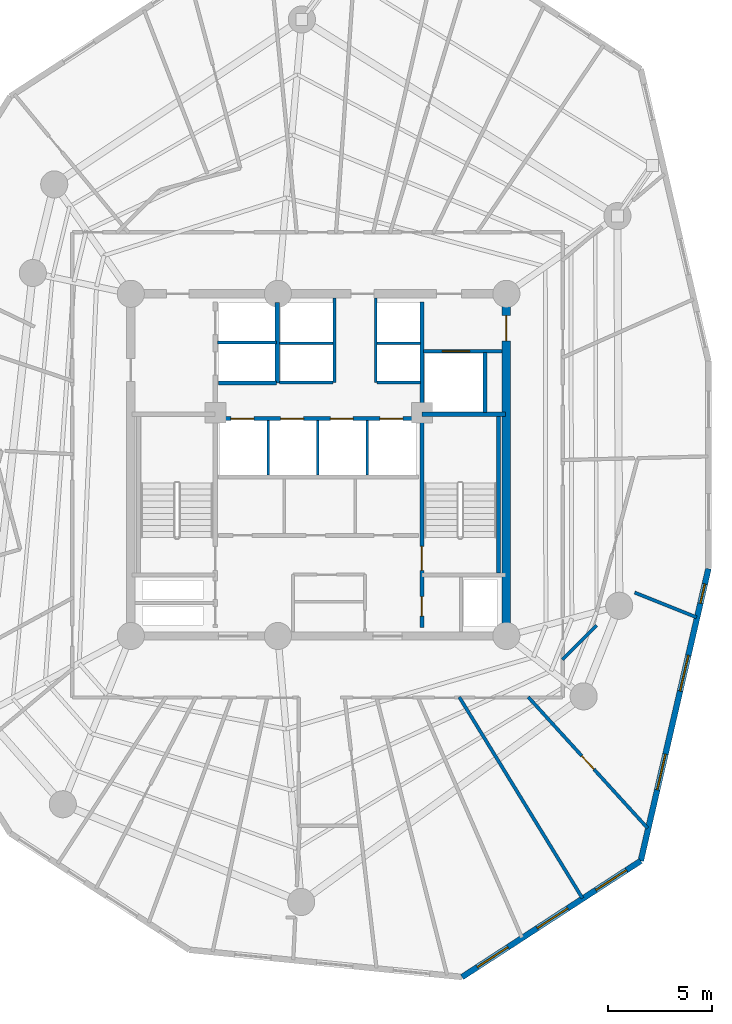
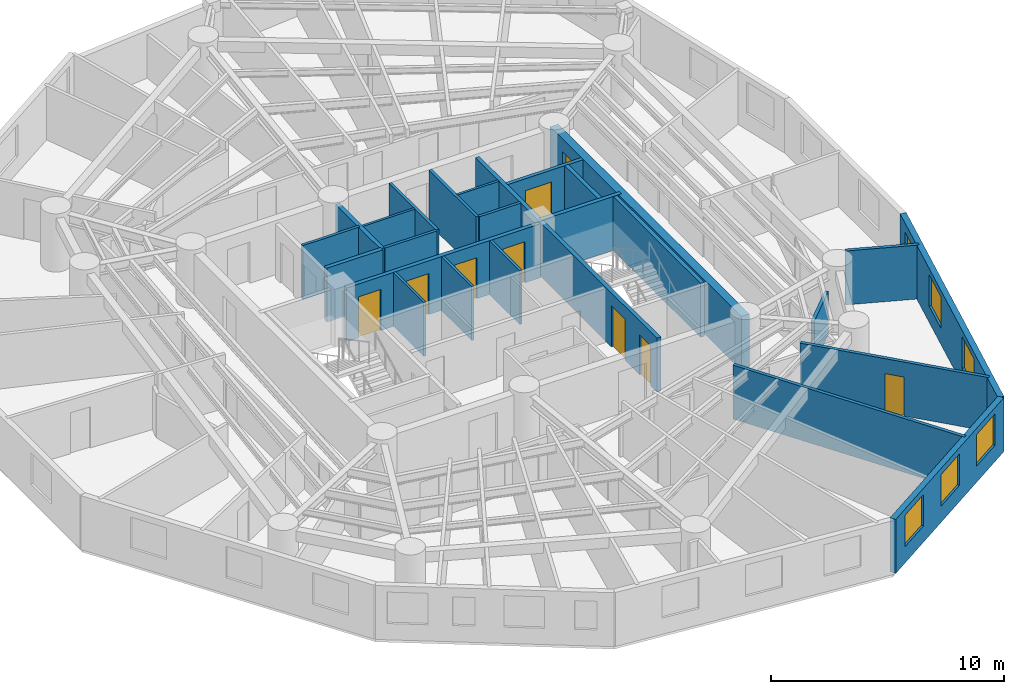
# One storey, part 5 of 8: 25 walls, 9 doors, 6 windows, 15 openings.
"""IFC4 building model written with IfcOpenShell, lengths in metres."""

from ifc_helpers import new_model, si_unit, direction, frame, frame_2d, origin, origin_with_axes, place, context, subcontext, project, spatial, rectangle, extrude, source, transform, mapped, material, layer, layer_set, type_object, element, fill, save


model = new_model("IFC4")

# Units and contexts
model_context = context("Model", 3, precision=1e-05, world=origin(), true_north=direction((0.0, 1.0)))
body_context = subcontext(model_context, "Body", "Model", "MODEL_VIEW")
ifc_project = project(units=[si_unit("LENGTHUNIT", "METRE"), si_unit("AREAUNIT", "SQUARE_METRE"), si_unit("VOLUMEUNIT", "CUBIC_METRE"), si_unit("PLANEANGLEUNIT", "RADIAN"), si_unit("MASSUNIT", "GRAM", prefix="KILO")], contexts=[model_context])

# Site, building, storey
site_placement = place(None, origin())
site = spatial("IfcSite", under=ifc_project, at=site_placement, CompositionType="ELEMENT")
building_placement = place(site_placement, origin())
building = spatial("IfcBuilding", under=site, at=building_placement, Name="Karkom Vertical University and Central Library", CompositionType="ELEMENT")
storey_placement = place(building_placement, frame((0.0, 0.0, 187.050048828125)))
storey = spatial("IfcBuildingStorey", under=building, at=storey_placement, Name="L54", CompositionType="ELEMENT", Elevation=187.050048828125)

# Wall, openings, windows
ifc_material_1 = material(Name="Brick-faced precast concrete C45/55", Category="masonry")
ifc_layer_1 = layer(ifc_material_1, 0.280029296875)
ifc_layer_set_1 = layer_set([ifc_layer_1], Name="Brick-faced precast concrete C45/55")
wall_type_1 = type_object("IfcWallType", Name="ENV-WL-BRK-280", PredefinedType="SOLIDWALL", material=ifc_layer_set_1)
wall_1_placement = place(storey_placement, frame((35.37353515625, 1.949951171875, 0.0), z_axis=(0.0, 0.0, 1.0), x_axis=(0.838363930123, 0.545110925105, 0.0)))
wall_1 = element("IfcWall", 1, at=wall_1_placement, inside=storey, type_object=wall_type_1, Name="Level 54 Brick-Faced Precast Facade Wall 05", PredefinedType="SOLIDWALL", context=body_context, shape_type="SweptSolid", body=[
    extrude(rectangle(XDim=10.220947265625, YDim=0.280029296875, at=frame_2d((5.1103515625, 0.0))), origin(), (0.0, 0.0, 1.0), 2.824951171875),
])
opening_1_placement = place(wall_1_placement, frame((0.87939453125, 0.0, 0.85009765625)))
opening_1 = element("IfcOpeningElement", 2, at=opening_1_placement, cuts=wall_1, Name="Opening WN-08", PredefinedType="OPENING", context=body_context, shape_type="SweptSolid", body=[
    extrude(rectangle(XDim=1.75, YDim=1.64990234375, at=frame_2d((0.875, 0.824951171875))), frame((0.0, 0.14990234375, 0.0), z_axis=(0.0, -1.0, 0.0), x_axis=(1.0, 0.0, 0.0)), (0.0, 0.0, 1.0), 0.300048828125),
])
opening_2_placement = place(wall_1_placement, frame((4.30029296875, 0.0, 0.85009765625)))
opening_2 = element("IfcOpeningElement", 3, at=opening_2_placement, cuts=wall_1, Name="Opening WN-08", PredefinedType="OPENING", context=body_context, shape_type="SweptSolid", body=[
    extrude(rectangle(XDim=1.75, YDim=1.64990234375, at=frame_2d((0.875, 0.824951171875))), frame((0.0, 0.14990234375, 0.0), z_axis=(0.0, -1.0, 0.0), x_axis=(1.0, 0.0, 0.0)), (0.0, 0.0, 1.0), 0.300048828125),
])
opening_3_placement = place(wall_1_placement, frame((7.65625, 0.0, 0.85009765625)))
opening_3 = element("IfcOpeningElement", 4, at=opening_3_placement, cuts=wall_1, Name="Opening WN-08", PredefinedType="OPENING", context=body_context, shape_type="SweptSolid", body=[
    extrude(rectangle(XDim=1.75, YDim=1.64990234375, at=frame_2d((0.875, 0.824951171875))), frame((0.0, 0.14990234375, 0.0), z_axis=(0.0, -1.0, 0.0), x_axis=(1.0, 0.0, 0.0)), (0.0, 0.0, 1.0), 0.300048828125),
])
ifc_material_2 = material(Name="Aluminium thermal-break frame with solar-control IGU", Category="aluminium")
window_type_1 = type_object("IfcWindowType", Name="ENV-WIN-WN-08", PartitioningType="SINGLE_PANEL", PredefinedType="WINDOW", material=ifc_material_2)
shared_shape_1 = source(origin_with_axes(), body_context, "Body", "SweptSolid", [
    extrude(rectangle(XDim=1.75, YDim=1.64990234375, at=frame_2d((0.875, 0.824951171875))), frame((0.0, 0.030029296875, 0.0), z_axis=(0.0, -1.0, 0.0), x_axis=(1.0, 0.0, 0.0)), (0.0, 0.0, 1.0), 0.06005859375),
])
window_1_placement = place(opening_1_placement, origin())
window_1 = element("IfcWindow", 5, at=window_1_placement, inside=storey, type_object=window_type_1, Name="Level 54 Punched Window 5.1", OverallHeight=1.64990234375, OverallWidth=1.75, PartitioningType="SINGLE_PANEL", PredefinedType="WINDOW", context=body_context, shape_type="MappedRepresentation", body=[
    mapped(shared_shape_1, transform((0.0, 0.0, 0.0), scale=1.0)),
])
fill(opening_1, window_1)
window_2_placement = place(opening_2_placement, origin())
window_2 = element("IfcWindow", 6, at=window_2_placement, inside=storey, type_object=window_type_1, Name="Level 54 Punched Window 5.2", OverallHeight=1.64990234375, OverallWidth=1.75, PartitioningType="SINGLE_PANEL", PredefinedType="WINDOW", context=body_context, shape_type="MappedRepresentation", body=[
    mapped(shared_shape_1, transform((0.0, 0.0, 0.0), scale=1.0)),
])
fill(opening_2, window_2)
window_3_placement = place(opening_3_placement, origin())
window_3 = element("IfcWindow", 7, at=window_3_placement, inside=storey, type_object=window_type_1, Name="Level 54 Punched Window 5.3", OverallHeight=1.64990234375, OverallWidth=1.75, PartitioningType="SINGLE_PANEL", PredefinedType="WINDOW", context=body_context, shape_type="MappedRepresentation", body=[
    mapped(shared_shape_1, transform((0.0, 0.0, 0.0), scale=1.0)),
])
fill(opening_3, window_3)

wall_2_placement = place(storey_placement, frame((43.9423828125, 7.521484375, 0.0), z_axis=(0.0, 0.0, 1.0), x_axis=(0.225598723883, 0.974220311727, 0.0)))
wall_2 = element("IfcWall", 8, at=wall_2_placement, inside=storey, type_object=wall_type_1, Name="Level 54 Brick-Faced Precast Facade Wall 06", PredefinedType="SOLIDWALL", context=body_context, shape_type="SweptSolid", body=[
    extrude(rectangle(XDim=14.374755859375, YDim=0.280029296875, at=frame_2d((7.1875, 0.0))), origin(), (0.0, 0.0, 1.0), 2.824951171875),
])
opening_4_placement = place(wall_2_placement, frame((3.49609375, 0.0, 0.85009765625)))
opening_4 = element("IfcOpeningElement", 9, at=opening_4_placement, cuts=wall_2, Name="Opening WN-08", PredefinedType="OPENING", context=body_context, shape_type="SweptSolid", body=[
    extrude(rectangle(XDim=1.75, YDim=1.64990234375, at=frame_2d((0.875, 0.824951171875))), frame((0.0, 0.14990234375, 0.0), z_axis=(0.0, -1.0, 0.0), x_axis=(1.0, 0.0, 0.0)), (0.0, 0.0, 1.0), 0.300048828125),
])
opening_5_placement = place(wall_2_placement, frame((8.3564453125, 0.0, 0.85009765625)))
opening_5 = element("IfcOpeningElement", 10, at=opening_5_placement, cuts=wall_2, Name="Opening WN-08", PredefinedType="OPENING", context=body_context, shape_type="SweptSolid", body=[
    extrude(rectangle(XDim=1.75, YDim=1.64990234375, at=frame_2d((0.875, 0.824951171875))), frame((0.0, 0.14990234375, 0.0), z_axis=(0.0, -1.0, 0.0), x_axis=(1.0, 0.0, 0.0)), (0.0, 0.0, 1.0), 0.300048828125),
])
opening_6_placement = place(wall_2_placement, frame((12.67333984375, 0.0, 0.85009765625)))
opening_6 = element("IfcOpeningElement", 11, at=opening_6_placement, cuts=wall_2, Name="Opening WN-12", PredefinedType="OPENING", context=body_context, shape_type="SweptSolid", body=[
    extrude(rectangle(XDim=0.949951171875, YDim=1.5, at=frame_2d((0.47509765625, 0.75))), frame((0.0, 0.14990234375, 0.0), z_axis=(0.0, -1.0, 0.0), x_axis=(1.0, 0.0, 0.0)), (0.0, 0.0, 1.0), 0.300048828125),
])
window_type_2 = type_object("IfcWindowType", Name="ENV-WIN-WN-12", PartitioningType="SINGLE_PANEL", PredefinedType="WINDOW", material=ifc_material_2)
shared_shape_2 = source(origin_with_axes(), body_context, "Body", "SweptSolid", [
    extrude(rectangle(XDim=0.949951171875, YDim=1.5, at=frame_2d((0.47509765625, 0.75))), frame((0.0, 0.030029296875, 0.0), z_axis=(0.0, -1.0, 0.0), x_axis=(1.0, 0.0, 0.0)), (0.0, 0.0, 1.0), 0.06005859375),
])
window_4_placement = place(opening_6_placement, origin())
window_4 = element("IfcWindow", 12, at=window_4_placement, inside=storey, type_object=window_type_2, Name="Level 54 Punched Window 6.3", OverallHeight=1.5, OverallWidth=0.949951171875, PartitioningType="SINGLE_PANEL", PredefinedType="WINDOW", context=body_context, shape_type="MappedRepresentation", body=[
    mapped(shared_shape_2, transform((0.0, 0.0, 0.0), scale=1.0)),
])
fill(opening_6, window_4)
window_5_placement = place(opening_4_placement, origin())
window_5 = element("IfcWindow", 13, at=window_5_placement, inside=storey, type_object=window_type_1, Name="Level 54 Punched Window 6.1", OverallHeight=1.64990234375, OverallWidth=1.75, PartitioningType="SINGLE_PANEL", PredefinedType="WINDOW", context=body_context, shape_type="MappedRepresentation", body=[
    mapped(shared_shape_1, transform((0.0, 0.0, 0.0), scale=1.0)),
])
fill(opening_4, window_5)
window_6_placement = place(opening_5_placement, origin())
window_6 = element("IfcWindow", 14, at=window_6_placement, inside=storey, type_object=window_type_1, Name="Level 54 Punched Window 6.2", OverallHeight=1.64990234375, OverallWidth=1.75, PartitioningType="SINGLE_PANEL", PredefinedType="WINDOW", context=body_context, shape_type="MappedRepresentation", body=[
    mapped(shared_shape_1, transform((0.0, 0.0, 0.0), scale=1.0)),
])
fill(opening_5, window_6)

# Wall
ifc_material_3 = material(Name="Insulated metal-stud drywall 160mm", Category="gypsum")
ifc_layer_2 = layer(ifc_material_3, 0.159912109375)
ifc_layer_set_2 = layer_set([ifc_layer_2], Name="Insulated metal-stud drywall 160mm")
wall_type_2 = type_object("IfcWallType", Name="INT-WL-COR-160", PredefinedType="PARTITIONING", material=ifc_layer_set_2)
wall_3_placement = place(storey_placement, frame((35.240966796875, 15.37548828125, 0.0), z_axis=(0.0, 0.0, 1.0), x_axis=(0.522187833878, -0.852830502591, 0.0)))
element("IfcWall", 15, at=wall_3_placement, inside=storey, type_object=wall_type_2, Name="Level 54 Interior Partition Wall L54-PW-019", PredefinedType="PARTITIONING", context=body_context, shape_type="SweptSolid", body=[
    extrude(rectangle(XDim=11.306884765625, YDim=0.159912109375, at=frame_2d((5.6533203125, 0.0))), origin(), (0.0, 0.0, 1.0), 2.824951171875),
])

# Wall, opening, door
wall_4_placement = place(storey_placement, frame((38.548583984375, 15.372314453125, 0.0), z_axis=(0.0, 0.0, 1.0), x_axis=(0.673168934691, -0.739488732414, 0.0)))
wall_4 = element("IfcWall", 16, at=wall_4_placement, inside=storey, type_object=wall_type_2, Name="Level 54 Interior Partition Wall L54-PW-020", PredefinedType="PARTITIONING", context=body_context, shape_type="SweptSolid", body=[
    extrude(rectangle(XDim=8.496337890625, YDim=0.159912109375, at=frame_2d((4.248046875, 0.0))), origin(), (0.0, 0.0, 1.0), 2.824951171875),
])
opening_7_placement = place(wall_4_placement, frame((3.818115234375, 0.0, 0.0)))
opening_7 = element("IfcOpeningElement", 17, at=opening_7_placement, cuts=wall_4, Name="Opening FD-BTH2", PredefinedType="OPENING", context=body_context, shape_type="SweptSolid", body=[
    extrude(rectangle(XDim=0.860107421875, YDim=2.0400390625, at=frame_2d((0.43017578125, 1.02001953125))), frame((0.0, 0.08984375, 0.0), z_axis=(0.0, -1.0, 0.0), x_axis=(1.0, 0.0, 0.0)), (0.0, 0.0, 1.0), 0.179931640625),
])
ifc_material_4 = material(Name="Fire-rated moisture-resistant oak door", Category="wood")
door_type_1 = type_object("IfcDoorType", Name="INT-DR-FBTH2", OperationType="NOTDEFINED", PredefinedType="DOOR", material=ifc_material_4)
shared_shape_3 = source(origin_with_axes(), body_context, "Body", "SweptSolid", [
    extrude(rectangle(XDim=0.860107421875, YDim=2.0400390625, at=frame_2d((0.43017578125, 1.02001953125))), frame((0.0, 0.02490234375, 0.0), z_axis=(0.0, -1.0, 0.0), x_axis=(1.0, 0.0, 0.0)), (0.0, 0.0, 1.0), 0.050048828125),
])
door_1_placement = place(opening_7_placement, origin())
door_1 = element("IfcDoor", 18, at=door_1_placement, inside=storey, type_object=door_type_1, Name="Level 54 Faculty Support and Campus Staff Room Entry Door", OperationType="SINGLE_SWING_LEFT", OverallHeight=2.0400390625, OverallWidth=0.860107421875, PredefinedType="DOOR", context=body_context, shape_type="MappedRepresentation", body=[
    mapped(shared_shape_3, transform((0.0, 0.0, 0.0), scale=1.0)),
])
fill(opening_7, door_1)

# Walls
wall_5_placement = place(storey_placement, frame((43.64892578125, 20.3818359375, 0.0), z_axis=(0.0, 0.0, 1.0), x_axis=(0.928618752778, -0.37103532445, 0.0)))
element("IfcWall", 19, at=wall_5_placement, inside=storey, type_object=wall_type_2, Name="Level 54 Interior Partition Wall L54-PW-024", PredefinedType="PARTITIONING", context=body_context, shape_type="SweptSolid", body=[
    extrude(rectangle(XDim=3.198486328125, YDim=0.159912109375, at=frame_2d((1.59912109375, 0.0))), origin(), (0.0, 0.0, 1.0), 2.824951171875),
])
wall_6_placement = place(storey_placement, frame((40.1787109375, 17.16552734375, 0.0), z_axis=(0.0, 0.0, 1.0), x_axis=(0.707159309269, 0.707054249202, 0.0)))
element("IfcWall", 20, at=wall_6_placement, inside=storey, type_object=wall_type_2, Name="Level 54 Interior Partition Wall L54-PW-021", PredefinedType="PARTITIONING", context=body_context, shape_type="SweptSolid", body=[
    extrude(rectangle(XDim=2.32373046875, YDim=0.159912109375, at=frame_2d((1.161865234375, 0.0))), origin(), (0.0, 0.0, 1.0), 2.27490234375),
])
ifc_material_5 = material(Name="Moisture-resistant drywall 120mm", Category="gypsum")
ifc_layer_3 = layer(ifc_material_5, 0.1201171875)
ifc_layer_set_3 = layer_set([ifc_layer_3], Name="Moisture-resistant drywall 120mm")
wall_type_3 = type_object("IfcWallType", Name="INT-WL-INT-120H", PredefinedType="PARTITIONING", material=ifc_layer_set_3)
for number, where, z_axis, x_axis, name in (
    (21, (26.080078125, 26.02001953125, 0.0), (0.0, 0.0, 1.0), (0.0, 1.0, 0.0), "Level 54 Interior Partition Wall L54-CW-PM-DIV1"),
    (22, (28.4599609375, 26.02001953125, 0.0), (0.0, 0.0, 1.0), (0.0, 1.0, 0.0), "Level 54 Interior Partition Wall L54-CW-PM-DIV2"),
    (23, (30.840087890625, 26.02001953125, 0.0), (0.0, 0.0, 1.0), (0.0, 1.0, 0.0), "Level 54 Interior Partition Wall L54-CW-PM-DIV3"),
):
    element("IfcWall", number, at=place(storey_placement, frame(where, z_axis=z_axis, x_axis=x_axis)), inside=storey, type_object=wall_type_3, Name=name, PredefinedType="PARTITIONING", context=body_context, shape_type="SweptSolid", body=[
        extrude(rectangle(XDim=2.60009765625, YDim=0.1201171875, at=frame_2d((1.300048828125, 0.0))), origin(), (0.0, 0.0, 1.0), 2.824951171875),
    ])
wall_7_placement = place(storey_placement, frame((26.6201171875, 32.320068359375, 0.0), z_axis=(0.0, 0.0, 1.0), x_axis=(1.0, 0.0, 0.0)))
element("IfcWall", 24, at=wall_7_placement, inside=storey, type_object=wall_type_3, Name="Level 54 Interior Partition Wall L54-CW-PH-MW", PredefinedType="PARTITIONING", context=body_context, shape_type="SweptSolid", body=[
    extrude(rectangle(XDim=2.579833984375, YDim=0.1201171875, at=frame_2d((1.2900390625, 0.0))), origin(), (0.0, 0.0, 1.0), 2.824951171875),
])
wall_8_placement = place(storey_placement, frame((31.300048828125, 32.320068359375, 0.0), z_axis=(0.0, 0.0, 1.0), x_axis=(1.0, 0.0, 0.0)))
element("IfcWall", 25, at=wall_8_placement, inside=storey, type_object=wall_type_3, Name="Level 54 Interior Partition Wall L54-CW-PH-ME", PredefinedType="PARTITIONING", context=body_context, shape_type="SweptSolid", body=[
    extrude(rectangle(XDim=2.074951171875, YDim=0.1201171875, at=frame_2d((1.03759765625, 0.0))), origin(), (0.0, 0.0, 1.0), 2.824951171875),
])
ifc_material_6 = material(Name="Metal-stud gypsum partition 140mm", Category="gypsum")
ifc_layer_4 = layer(ifc_material_6, 0.139892578125)
ifc_layer_set_4 = layer_set([ifc_layer_4], Name="Metal-stud gypsum partition 140mm")
wall_type_4 = type_object("IfcWallType", Name="INT-WL-SUB-140H", PredefinedType="PARTITIONING", material=ifc_layer_set_4)
for number, where, z_axis, x_axis, name in (
    (26, (29.260009765625, 30.449951171875, 0.0), (0.0, 0.0, 1.0), (0.0, 1.0, 0.0), "Level 54 Interior Partition Wall L54-CW-PH-W"),
    (27, (31.239990234375, 30.449951171875, 0.0), (0.0, 0.0, 1.0), (0.0, 1.0, 0.0), "Level 54 Interior Partition Wall L54-CW-PH-E"),
):
    element("IfcWall", number, at=place(storey_placement, frame(where, z_axis=z_axis, x_axis=x_axis)), inside=storey, type_object=wall_type_4, Name=name, PredefinedType="PARTITIONING", context=body_context, shape_type="SweptSolid", body=[
        extrude(rectangle(XDim=4.04296875, YDim=0.139892578125, at=frame_2d((2.021484375, 0.0))), origin(), (0.0, 0.0, 1.0), 2.824951171875),
    ])
wall_9_placement = place(storey_placement, frame((26.6201171875, 30.449951171875, 0.0), z_axis=(0.0, 0.0, 1.0), x_axis=(1.0, 0.0, 0.0)))
element("IfcWall", 28, at=wall_9_placement, inside=storey, type_object=wall_type_4, Name="Level 54 Interior Partition Wall L54-CW-PH-S1", PredefinedType="PARTITIONING", context=body_context, shape_type="SweptSolid", body=[
    extrude(rectangle(XDim=2.579833984375, YDim=0.139892578125, at=frame_2d((1.2900390625, 0.0))), origin(), (0.0, 0.0, 1.0), 2.824951171875),
])
wall_10_placement = place(storey_placement, frame((31.300048828125, 30.449951171875, 0.0), z_axis=(0.0, 0.0, 1.0), x_axis=(1.0, 0.0, 0.0)))
element("IfcWall", 29, at=wall_10_placement, inside=storey, type_object=wall_type_4, Name="Level 54 Interior Partition Wall L54-CW-PH-S2", PredefinedType="PARTITIONING", context=body_context, shape_type="SweptSolid", body=[
    extrude(rectangle(XDim=2.074951171875, YDim=0.139892578125, at=frame_2d((1.03759765625, 0.0))), origin(), (0.0, 0.0, 1.0), 2.824951171875),
])
ifc_layer_5 = layer(ifc_material_6, 0.139892578125)
ifc_layer_set_5 = layer_set([ifc_layer_5], Name="Metal-stud gypsum partition 140mm")
wall_type_5 = type_object("IfcWallType", Name="INT-WL-SUB-140X", PredefinedType="PARTITIONING", material=ifc_layer_set_5)
wall_11_placement = place(storey_placement, frame((23.652099609375, 32.3701171875, 0.0), z_axis=(0.0, 0.0, 1.0), x_axis=(1.0, 0.0, 0.0)))
element("IfcWall", 30, at=wall_11_placement, inside=storey, type_object=wall_type_5, Name="Level 54 Interior Partition Wall L54-CW-FFL-M", PredefinedType="PARTITIONING", context=body_context, shape_type="SweptSolid", body=[
    extrude(rectangle(XDim=2.827880859375, YDim=0.139892578125, at=frame_2d((1.4140625, 0.0))), origin(), (0.0, 0.0, 1.0), 2.824951171875),
])

# Wall, opening, door
ifc_material_7 = material(Name="Twin-stud acoustic drywall 180mm", Category="gypsum")
ifc_layer_6 = layer(ifc_material_7, 0.179931640625)
ifc_layer_set_6 = layer_set([ifc_layer_6], Name="Twin-stud acoustic drywall 180mm")
wall_type_6 = type_object("IfcWallType", Name="INT-WL-TEN-180F", PredefinedType="PARTITIONING", material=ifc_layer_set_6)
wall_12_placement = place(storey_placement, frame((33.534912109375, 31.949951171875, 0.0), z_axis=(0.0, 0.0, 1.0), x_axis=(1.0, 0.0, 0.0)))
wall_12 = element("IfcWall", 31, at=wall_12_placement, inside=storey, type_object=wall_type_6, Name="Level 54 Interior Partition Wall L54-CW-SVL-N", PredefinedType="PARTITIONING", context=body_context, shape_type="SweptSolid", body=[
    extrude(rectangle(XDim=3.7587890625, YDim=0.179931640625, at=frame_2d((1.87939453125, 0.0))), origin(), (0.0, 0.0, 1.0), 2.824951171875),
])
opening_8_placement = place(wall_12_placement, frame((0.89990234375, 0.0, 0.0)))
opening_8 = element("IfcOpeningElement", 32, at=opening_8_placement, cuts=wall_12, Name="Opening LD-SV1", PredefinedType="OPENING", context=body_context, shape_type="SweptSolid", body=[
    extrude(rectangle(XDim=1.300048828125, YDim=2.199951171875, at=frame_2d((0.64990234375, 1.10009765625))), frame((0.0, 0.10009765625, 0.0), z_axis=(0.0, -1.0, 0.0), x_axis=(1.0, 0.0, 0.0)), (0.0, 0.0, 1.0), 0.199951171875),
])
ifc_material_8 = material(Name="Brushed stainless-steel landing door", Category="steel")
door_type_2 = type_object("IfcDoorType", Name="INT-DR-LD-SV1", OperationType="SLIDING_TO_LEFT", PredefinedType="DOOR", material=ifc_material_8)
shared_shape_4 = source(origin_with_axes(), body_context, "Body", "SweptSolid", [
    extrude(rectangle(XDim=1.300048828125, YDim=2.199951171875, at=frame_2d((0.64990234375, 1.10009765625))), frame((0.0, 0.02490234375, 0.0), z_axis=(0.0, -1.0, 0.0), x_axis=(1.0, 0.0, 0.0)), (0.0, 0.0, 1.0), 0.050048828125),
])
door_2_placement = place(opening_8_placement, origin())
door_2 = element("IfcDoor", 33, at=door_2_placement, inside=storey, type_object=door_type_2, Name="Level 54 Service Lift Landing Door LD-SV1", OperationType="SLIDING_TO_LEFT", OverallHeight=2.199951171875, OverallWidth=1.300048828125, PredefinedType="DOOR", context=body_context, shape_type="MappedRepresentation", body=[
    mapped(shared_shape_4, transform((0.0, 0.0, 0.0), scale=1.0)),
])
fill(opening_8, door_2)

ifc_material_9 = material(Name="Concrete C50/60", Category="concrete")
ifc_layer_7 = layer(ifc_material_9, 0.39990234375)
ifc_layer_set_7 = layer_set([ifc_layer_7], Name="Concrete C50/60")
wall_type_7 = type_object("IfcWallType", Name="STR-WL-CW-400", PredefinedType="SHEAR", material=ifc_layer_set_7)
wall_13_placement = place(storey_placement, frame((37.5, 18.300048828125, 0.0), z_axis=(0.0, 0.0, 1.0), x_axis=(0.0, 1.0, 0.0)))
wall_13 = element("IfcWall", 34, at=wall_13_placement, inside=storey, type_object=wall_type_7, Name="Level 54 Central Core Shear Wall EW", PredefinedType="SHEAR", context=body_context, shape_type="SweptSolid", body=[
    extrude(rectangle(XDim=16.39990234375, YDim=0.39990234375, at=frame_2d((8.199951171875, 0.0))), origin(), (0.0, 0.0, 1.0), 2.824951171875),
])
opening_9_placement = place(wall_13_placement, frame((14.14990234375, 0.0, 0.0)))
opening_9 = element("IfcOpeningElement", 35, at=opening_9_placement, cuts=wall_13, Name="Opening FD-SUB1", PredefinedType="OPENING", context=body_context, shape_type="SweptSolid", body=[
    extrude(rectangle(XDim=1.199951171875, YDim=2.14990234375, at=frame_2d((0.60009765625, 1.074951171875))), frame((0.0, 0.2099609375, 0.0), z_axis=(0.0, -1.0, 0.0), x_axis=(1.0, 0.0, 0.0)), (0.0, 0.0, 1.0), 0.419921875),
])
ifc_material_10 = material(Name="Painted steel fire door", Category="steel")
door_type_3 = type_object("IfcDoorType", Name="INT-DR-SUB1", OperationType="NOTDEFINED", PredefinedType="DOOR", material=ifc_material_10)
shared_shape_5 = source(origin_with_axes(), body_context, "Body", "SweptSolid", [
    extrude(rectangle(XDim=1.199951171875, YDim=2.14990234375, at=frame_2d((0.60009765625, 1.074951171875))), frame((0.0, 0.02490234375, 0.0), z_axis=(0.0, -1.0, 0.0), x_axis=(1.0, 0.0, 0.0)), (0.0, 0.0, 1.0), 0.050048828125),
])
door_3_placement = place(opening_9_placement, origin())
door_3 = element("IfcDoor", 36, at=door_3_placement, inside=storey, type_object=door_type_3, Name="Level 54 East Corridor Service Lobby Door", OperationType="SINGLE_SWING_RIGHT", OverallHeight=2.14990234375, OverallWidth=1.199951171875, PredefinedType="DOOR", context=body_context, shape_type="MappedRepresentation", body=[
    mapped(shared_shape_5, transform((0.0, 0.0, 0.0), scale=1.0)),
])
fill(opening_9, door_3)

# Wall, openings, doors
ifc_material_11 = material(Name="Concrete C45/55", Category="concrete")
ifc_layer_8 = layer(ifc_material_11, 0.199951171875)
ifc_layer_set_8 = layer_set([ifc_layer_8], Name="Concrete C45/55")
wall_type_8 = type_object("IfcWallType", Name="STR-WL-ST-200", PredefinedType="SHEAR", material=ifc_layer_set_8)
wall_14_placement = place(storey_placement, frame((33.455078125, 18.699951171875, 0.0), z_axis=(0.0, 0.0, 1.0), x_axis=(0.0, 1.0, 0.0)))
wall_14 = element("IfcWall", 37, at=wall_14_placement, inside=storey, type_object=wall_type_8, Name="Level 54 Core Shaft Wall L54-CW-ST2-W", PredefinedType="SHEAR", context=body_context, shape_type="SweptSolid", body=[
    extrude(rectangle(XDim=15.60009765625, YDim=0.199951171875, at=frame_2d((7.800048828125, 0.0))), origin(), (0.0, 0.0, 1.0), 2.824951171875),
])
opening_10_placement = place(wall_14_placement, frame((2.75, 0.0, 0.0)))
opening_10 = element("IfcOpeningElement", 38, at=opening_10_placement, cuts=wall_14, Name="Opening FD-ST1", PredefinedType="OPENING", context=body_context, shape_type="SweptSolid", body=[
    extrude(rectangle(XDim=1.14990234375, YDim=2.14990234375, at=frame_2d((0.574951171875, 1.074951171875))), frame((0.0, 0.10986328125, 0.0), z_axis=(0.0, -1.0, 0.0), x_axis=(1.0, 0.0, 0.0)), (0.0, 0.0, 1.0), 0.219970703125),
])
opening_11_placement = place(wall_14_placement, frame((0.550048828125, 0.0, 0.0)))
opening_11 = element("IfcOpeningElement", 39, at=opening_11_placement, cuts=wall_14, Name="Opening D-WC1", PredefinedType="OPENING", context=body_context, shape_type="SweptSolid", body=[
    extrude(rectangle(XDim=0.93994140625, YDim=2.10009765625, at=frame_2d((0.469970703125, 1.050048828125))), frame((0.0, 0.10986328125, 0.0), z_axis=(0.0, -1.0, 0.0), x_axis=(1.0, 0.0, 0.0)), (0.0, 0.0, 1.0), 0.219970703125),
])
ifc_material_12 = material(Name="Painted steel acoustic fire door", Category="steel")
door_type_4 = type_object("IfcDoorType", Name="INT-DR-ST1", OperationType="NOTDEFINED", PredefinedType="DOOR", material=ifc_material_12)
shared_shape_6 = source(origin_with_axes(), body_context, "Body", "SweptSolid", [
    extrude(rectangle(XDim=1.14990234375, YDim=2.14990234375, at=frame_2d((0.574951171875, 1.074951171875))), frame((0.0, 0.02490234375, 0.0), z_axis=(0.0, -1.0, 0.0), x_axis=(1.0, 0.0, 0.0)), (0.0, 0.0, 1.0), 0.050048828125),
])
door_4_placement = place(opening_10_placement, origin())
door_4 = element("IfcDoor", 40, at=door_4_placement, inside=storey, type_object=door_type_4, Name="Level 54 Stair ST-2 Fire Door", OperationType="SINGLE_SWING_LEFT", OverallHeight=2.14990234375, OverallWidth=1.14990234375, PredefinedType="DOOR", context=body_context, shape_type="MappedRepresentation", body=[
    mapped(shared_shape_6, transform((0.0, 0.0, 0.0), scale=1.0)),
])
fill(opening_10, door_4)
ifc_material_13 = material(Name="Fire-rated laminate moisture-resistant door", Category="wood")
door_type_5 = type_object("IfcDoorType", Name="INT-DR-WC1", OperationType="NOTDEFINED", PredefinedType="DOOR", material=ifc_material_13)
shared_shape_7 = source(origin_with_axes(), body_context, "Body", "SweptSolid", [
    extrude(rectangle(XDim=0.93994140625, YDim=2.10009765625, at=frame_2d((0.469970703125, 1.050048828125))), frame((0.0, 0.02490234375, 0.0), z_axis=(0.0, -1.0, 0.0), x_axis=(1.0, 0.0, 0.0)), (0.0, 0.0, 1.0), 0.050048828125),
])
door_5_placement = place(opening_11_placement, origin())
door_5 = element("IfcDoor", 41, at=door_5_placement, inside=storey, type_object=door_type_5, Name="Level 54 Accessible WC Door", OperationType="SINGLE_SWING_RIGHT", OverallHeight=2.10009765625, OverallWidth=0.93994140625, PredefinedType="DOOR", context=body_context, shape_type="MappedRepresentation", body=[
    mapped(shared_shape_7, transform((0.0, 0.0, 0.0), scale=1.0)),
])
fill(opening_11, door_5)

wall_15_placement = place(storey_placement, frame((23.699951171875, 28.719970703125, 0.0), z_axis=(0.0, 0.0, 1.0), x_axis=(1.0, 0.0, 0.0)))
wall_15 = element("IfcWall", 42, at=wall_15_placement, inside=storey, type_object=wall_type_8, Name="Level 54 Core Shaft Wall L54-CW-B2-N", PredefinedType="SHEAR", context=body_context, shape_type="SweptSolid", body=[
    extrude(rectangle(XDim=9.60009765625, YDim=0.199951171875, at=frame_2d((4.800048828125, 0.0))), origin(), (0.0, 0.0, 1.0), 2.824951171875),
])
opening_12_placement = place(wall_15_placement, frame((0.60009765625, 0.0, 0.0)))
opening_12 = element("IfcOpeningElement", 43, at=opening_12_placement, cuts=wall_15, Name="Opening LD-PAX", PredefinedType="OPENING", context=body_context, shape_type="SweptSolid", body=[
    extrude(rectangle(XDim=1.10009765625, YDim=2.14990234375, at=frame_2d((0.550048828125, 1.074951171875))), frame((0.0, 0.10986328125, 0.0), z_axis=(0.0, -1.0, 0.0), x_axis=(1.0, 0.0, 0.0)), (0.0, 0.0, 1.0), 0.219970703125),
])
opening_13_placement = place(wall_15_placement, frame((2.97998046875, 0.0, 0.0)))
opening_13 = element("IfcOpeningElement", 44, at=opening_13_placement, cuts=wall_15, Name="Opening LD-PAX", PredefinedType="OPENING", context=body_context, shape_type="SweptSolid", body=[
    extrude(rectangle(XDim=1.10009765625, YDim=2.14990234375, at=frame_2d((0.550048828125, 1.074951171875))), frame((0.0, 0.10986328125, 0.0), z_axis=(0.0, -1.0, 0.0), x_axis=(1.0, 0.0, 0.0)), (0.0, 0.0, 1.0), 0.219970703125),
])
opening_14_placement = place(wall_15_placement, frame((5.360107421875, 0.0, 0.0)))
opening_14 = element("IfcOpeningElement", 45, at=opening_14_placement, cuts=wall_15, Name="Opening LD-PAX", PredefinedType="OPENING", context=body_context, shape_type="SweptSolid", body=[
    extrude(rectangle(XDim=1.10009765625, YDim=2.14990234375, at=frame_2d((0.550048828125, 1.074951171875))), frame((0.0, 0.10986328125, 0.0), z_axis=(0.0, -1.0, 0.0), x_axis=(1.0, 0.0, 0.0)), (0.0, 0.0, 1.0), 0.219970703125),
])
opening_15_placement = place(wall_15_placement, frame((7.739990234375, 0.0, 0.0)))
opening_15 = element("IfcOpeningElement", 46, at=opening_15_placement, cuts=wall_15, Name="Opening LD-PAX", PredefinedType="OPENING", context=body_context, shape_type="SweptSolid", body=[
    extrude(rectangle(XDim=1.10009765625, YDim=2.14990234375, at=frame_2d((0.550048828125, 1.074951171875))), frame((0.0, 0.10986328125, 0.0), z_axis=(0.0, -1.0, 0.0), x_axis=(1.0, 0.0, 0.0)), (0.0, 0.0, 1.0), 0.219970703125),
])
door_type_6 = type_object("IfcDoorType", Name="INT-DR-LD-PAX", OperationType="SLIDING_TO_LEFT", PredefinedType="DOOR", material=ifc_material_8)
shared_shape_8 = source(origin_with_axes(), body_context, "Body", "SweptSolid", [
    extrude(rectangle(XDim=1.10009765625, YDim=2.14990234375, at=frame_2d((0.550048828125, 1.074951171875))), frame((0.0, 0.02490234375, 0.0), z_axis=(0.0, -1.0, 0.0), x_axis=(1.0, 0.0, 0.0)), (0.0, 0.0, 1.0), 0.050048828125),
])
door_6_placement = place(opening_12_placement, origin())
door_6 = element("IfcDoor", 47, at=door_6_placement, inside=storey, type_object=door_type_6, Name="Level 54 Lift PM-1 Landing Door", OperationType="SLIDING_TO_LEFT", OverallHeight=2.14990234375, OverallWidth=1.10009765625, PredefinedType="DOOR", context=body_context, shape_type="MappedRepresentation", body=[
    mapped(shared_shape_8, transform((0.0, 0.0, 0.0), scale=1.0)),
])
fill(opening_12, door_6)
door_7_placement = place(opening_13_placement, origin())
door_7 = element("IfcDoor", 48, at=door_7_placement, inside=storey, type_object=door_type_6, Name="Level 54 Lift PM-2 Landing Door", OperationType="SLIDING_TO_RIGHT", OverallHeight=2.14990234375, OverallWidth=1.10009765625, PredefinedType="DOOR", context=body_context, shape_type="MappedRepresentation", body=[
    mapped(shared_shape_8, transform((0.0, 0.0, 0.0), scale=1.0)),
])
fill(opening_13, door_7)
door_8_placement = place(opening_14_placement, origin())
door_8 = element("IfcDoor", 49, at=door_8_placement, inside=storey, type_object=door_type_6, Name="Level 54 Lift PM-3 Landing Door", OperationType="SLIDING_TO_LEFT", OverallHeight=2.14990234375, OverallWidth=1.10009765625, PredefinedType="DOOR", context=body_context, shape_type="MappedRepresentation", body=[
    mapped(shared_shape_8, transform((0.0, 0.0, 0.0), scale=1.0)),
])
fill(opening_14, door_8)
door_9_placement = place(opening_15_placement, origin())
door_9 = element("IfcDoor", 50, at=door_9_placement, inside=storey, type_object=door_type_6, Name="Level 54 Lift PM-4 Landing Door", OperationType="SLIDING_TO_RIGHT", OverallHeight=2.14990234375, OverallWidth=1.10009765625, PredefinedType="DOOR", context=body_context, shape_type="MappedRepresentation", body=[
    mapped(shared_shape_8, transform((0.0, 0.0, 0.0), scale=1.0)),
])
fill(opening_15, door_9)

# Walls
wall_16_placement = place(storey_placement, frame((37.125, 21.320068359375, 0.0), z_axis=(0.0, 0.0, 1.0), x_axis=(0.0, 1.0, 0.0)))
element("IfcWall", 51, at=wall_16_placement, inside=storey, type_object=wall_type_8, Name="Level 54 Core Shaft Wall L54-CW-ST2-E", PredefinedType="SHEAR", context=body_context, shape_type="SweptSolid", body=[
    extrude(rectangle(XDim=7.5, YDim=0.199951171875, at=frame_2d((3.75, 0.0))), origin(), (0.0, 0.0, 1.0), 2.824951171875),
])
wall_17_placement = place(storey_placement, frame((33.455078125, 28.925048828125, 0.0), z_axis=(0.0, 0.0, 1.0), x_axis=(1.0, 0.0, 0.0)))
element("IfcWall", 52, at=wall_17_placement, inside=storey, type_object=wall_type_8, Name="Level 54 Core Shaft Wall L54-CW-ST2-N", PredefinedType="SHEAR", context=body_context, shape_type="SweptSolid", body=[
    extrude(rectangle(XDim=3.994873046875, YDim=0.199951171875, at=frame_2d((1.99755859375, 0.0))), origin(), (0.0, 0.0, 1.0), 2.824951171875),
])
wall_18_placement = place(storey_placement, frame((26.52001953125, 30.419921875, 0.0), z_axis=(0.0, 0.0, 1.0), x_axis=(0.0, 1.0, 0.0)))
element("IfcWall", 53, at=wall_18_placement, inside=storey, type_object=wall_type_8, Name="Level 54 Core Shaft Wall L54-CW-FFL-E", PredefinedType="SHEAR", context=body_context, shape_type="SweptSolid", body=[
    extrude(rectangle(XDim=3.860107421875, YDim=0.199951171875, at=frame_2d((1.93017578125, 0.0))), origin(), (0.0, 0.0, 1.0), 2.824951171875),
])
wall_19_placement = place(storey_placement, frame((36.47998046875, 29.02001953125, 0.0), z_axis=(0.0, 0.0, 1.0), x_axis=(0.0, 1.0, 0.0)))
element("IfcWall", 54, at=wall_19_placement, inside=storey, type_object=wall_type_8, Name="Level 54 Core Shaft Wall L54-CW-SVL-E", PredefinedType="SHEAR", context=body_context, shape_type="SweptSolid", body=[
    extrude(rectangle(XDim=2.85986328125, YDim=0.199951171875, at=frame_2d((1.429931640625, 0.0))), origin(), (0.0, 0.0, 1.0), 2.824951171875),
])
wall_20_placement = place(storey_placement, frame((23.699951171875, 30.419921875, 0.0), z_axis=(0.0, 0.0, 1.0), x_axis=(1.0, 0.0, 0.0)))
element("IfcWall", 55, at=wall_20_placement, inside=storey, type_object=wall_type_8, Name="Level 54 Core Shaft Wall L54-CW-FFL-S", PredefinedType="SHEAR", context=body_context, shape_type="SweptSolid", body=[
    extrude(rectangle(XDim=2.780029296875, YDim=0.199951171875, at=frame_2d((1.39013671875, 0.0))), origin(), (0.0, 0.0, 1.0), 2.824951171875),
])

save(model, "model.ifc")
